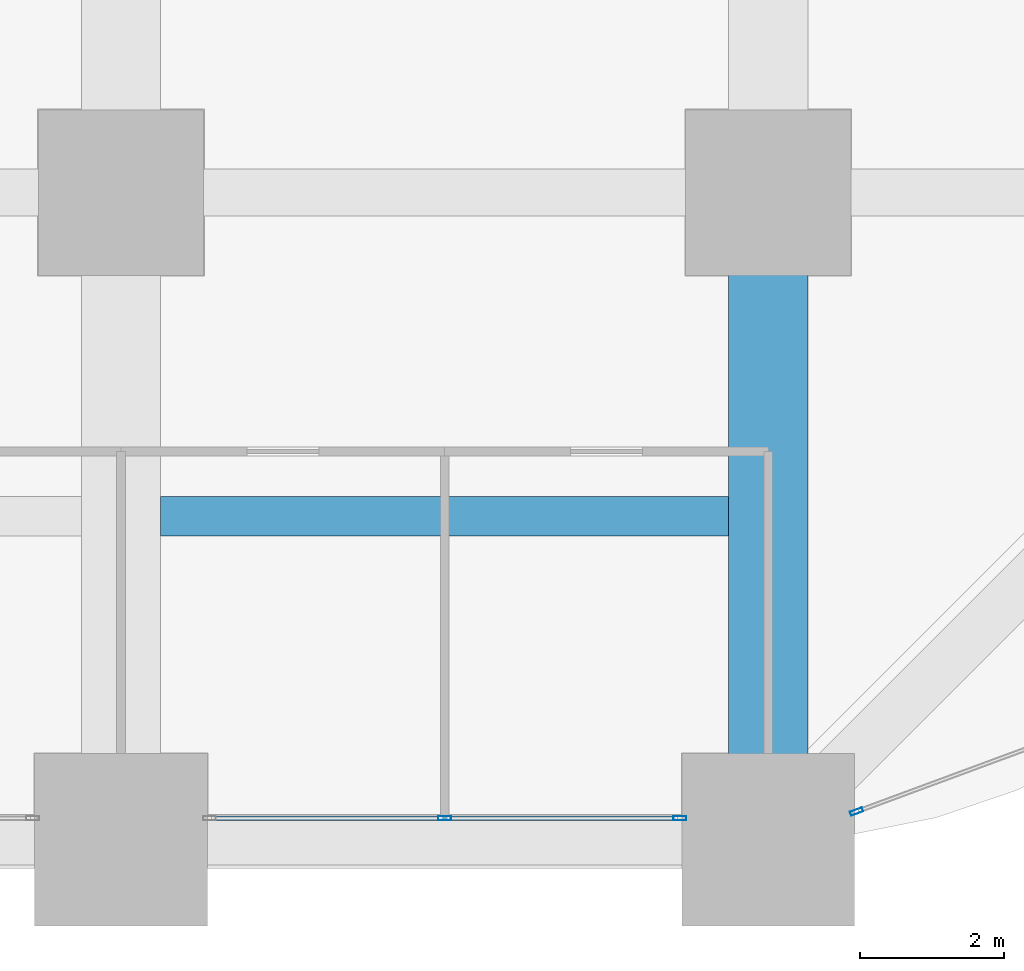
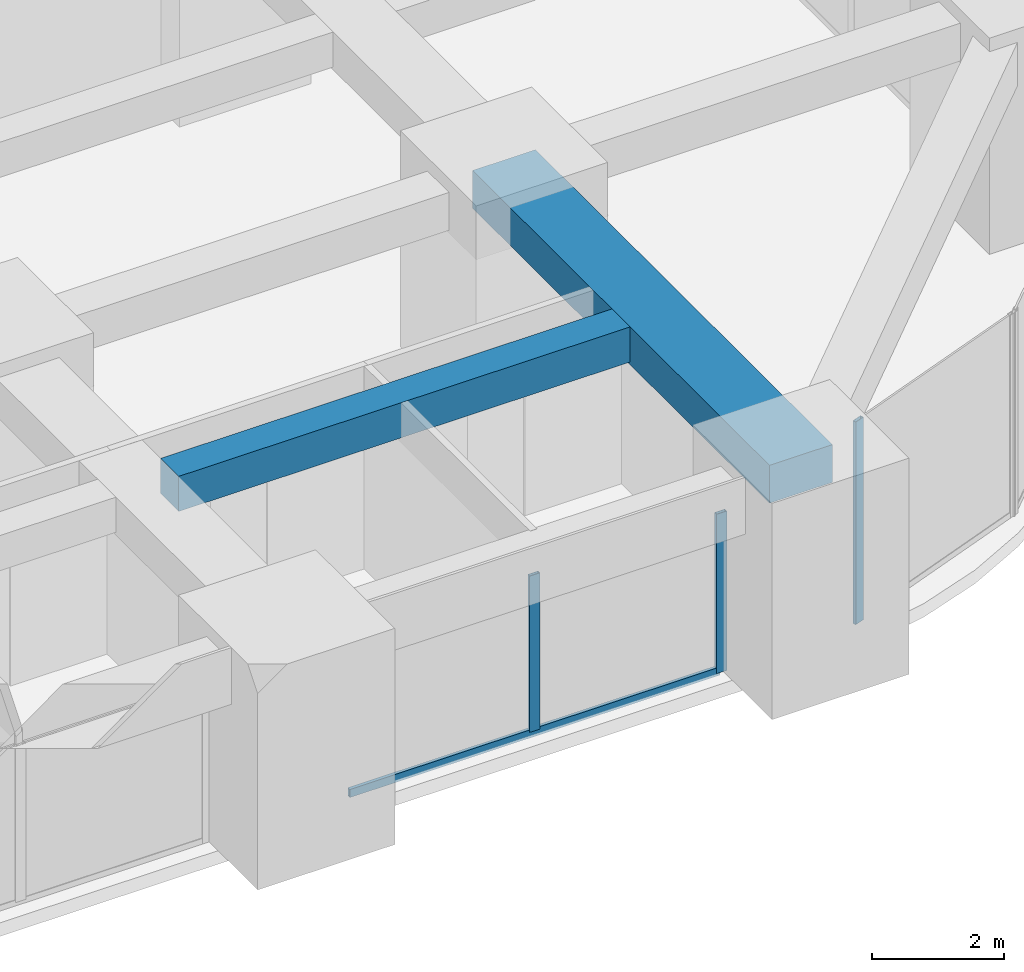
# One storey, part 15 of 45: 4 members, 2 beams, 2 elements without a shape of their own.
"""IFC4 building model written with IfcOpenShell, lengths in metres."""

from ifc_helpers import new_model, si_unit, direction, frame, origin, origin_2d, place, context, subcontext, project, spatial, rectangle, hollow_rectangle, extrude, material, material_profile, profile_set, type_object, element, aggregate, save


model = new_model("IFC4")

# Units and contexts
model_context = context("Model", 3, precision=1e-05, world=origin(), true_north=direction((0.0, 1.0)))
body_context = subcontext(model_context, "Body", "Model", "MODEL_VIEW")
ifc_project = project(units=[si_unit("LENGTHUNIT", "METRE"), si_unit("AREAUNIT", "SQUARE_METRE"), si_unit("VOLUMEUNIT", "CUBIC_METRE"), si_unit("PLANEANGLEUNIT", "RADIAN"), si_unit("MASSUNIT", "GRAM", prefix="KILO")], contexts=[model_context])

# Site, building, storey
site_placement = place(None, origin())
site = spatial("IfcSite", under=ifc_project, at=site_placement, CompositionType="ELEMENT")
building_placement = place(site_placement, origin())
building = spatial("IfcBuilding", under=site, at=building_placement, Name="Zorevar Civic Tower", CompositionType="ELEMENT")
storey_placement = place(building_placement, frame((0.0, 0.0, 39.800048828125)))
storey = spatial("IfcBuildingStorey", under=building, at=storey_placement, Name="L09", CompositionType="ELEMENT", Elevation=39.800048828125)

# Beams
ifc_material_1 = material(Name="Concrete C50/60", Category="concrete")
ifc_material_profile_1 = material_profile(ifc_material_1, rectangle(XDim=1.10009765625, YDim=0.699951171875, at=origin_2d()), Name="RC 1100x700")
ifc_profile_set_1 = profile_set([ifc_material_profile_1], Name="Concrete C50/60")
beam_type_1 = type_object("IfcBeamType", Name="Beam RC 1100x700", PredefinedType="BEAM", material=ifc_profile_set_1)
beam_1_placement = place(storey_placement, frame((54.0, 0.0, 3.39990234375), z_axis=(0.0, 1.0, 0.0), x_axis=(-1.0, 0.0, 0.0)))
element("IfcBeam", 1, at=beam_1_placement, inside=storey, type_object=beam_type_1, Name="Girder L10", PredefinedType="BEAM", context=body_context, shape_type="SweptSolid", body=[
    extrude(rectangle(XDim=1.10009765625, YDim=0.699951171875, at=origin_2d()), origin(), (0.0, 0.0, 1.0), 9.0),
])
ifc_material_2 = material(Name="Concrete C50/60", Category="concrete")
ifc_material_profile_2 = material_profile(ifc_material_2, rectangle(XDim=0.550048828125, YDim=0.64990234375, at=origin_2d()), Name="RC 550x650")
ifc_profile_set_2 = profile_set([ifc_material_profile_2], Name="Concrete C50/60")
beam_type_2 = type_object("IfcBeamType", Name="Beam RC 550x650", PredefinedType="BEAM", material=ifc_profile_set_2)
beam_2_placement = place(storey_placement, frame((45.550048828125, 4.5, 3.425048828125), z_axis=(1.0, 0.0, 0.0), x_axis=(0.0, 1.0, 0.0)))
element("IfcBeam", 2, at=beam_2_placement, inside=storey, type_object=beam_type_2, Name="Secondary beam L10", PredefinedType="BEAM", context=body_context, shape_type="SweptSolid", body=[
    extrude(rectangle(XDim=0.550048828125, YDim=0.64990234375, at=origin_2d()), origin(), (0.0, 0.0, 1.0), 7.89990234375),
])

# Curtain wall, members
ifc_material_3 = material(Name="Dark grey solar-control glass in black aluminium frame", Category="aluminium")
curtain_wall_type = type_object("IfcCurtainWallType", Name="Curtain wall CW2 low zone", PredefinedType="NOTDEFINED", material=ifc_material_3)
curtain_wall_1_placement = place(storey_placement, origin())
curtain_wall_1 = element("IfcCurtainWall", 3, at=curtain_wall_1_placement, inside=storey, type_object=curtain_wall_type, Name="CW2 L09", PredefinedType="NOTDEFINED")
ifc_material_4 = material(Name="Aluminium, black anodised", Category="aluminium")
ifc_material_profile_3 = material_profile(ifc_material_4, hollow_rectangle(XDim=0.06005859375, YDim=0.179931640625, WallThickness=0.00390625, at=origin_2d()), Name="AL 180x60x4")
ifc_profile_set_3 = profile_set([ifc_material_profile_3], Name="Aluminium, black anodised")
member_type_1 = type_object("IfcMemberType", Name="CW2 mullion AL 180x60x4", PredefinedType="MULLION", material=ifc_profile_set_3)
member_1_placement = place(storey_placement, frame((49.5, 0.300048828125, 0.06005859375), z_axis=(0.0, 0.0, 1.0), x_axis=(0.0, 1.0, 0.0)))
member_1 = element("IfcMember", 4, at=member_1_placement, type_object=member_type_1, Name="CW2 mullion 2", PredefinedType="MULLION", context=body_context, shape_type="SweptSolid", body=[
    extrude(hollow_rectangle(XDim=0.06005859375, YDim=0.179931640625, WallThickness=0.00390625, at=origin_2d()), origin(), (0.0, 0.0, 1.0), 2.889892578125),
])
member_2_placement = place(storey_placement, frame((52.77001953125, 0.300048828125, 0.0), z_axis=(0.0, 0.0, 1.0), x_axis=(0.0, 1.0, 0.0)))
member_2 = element("IfcMember", 5, at=member_2_placement, type_object=member_type_1, Name="CW2 mullion 3", PredefinedType="MULLION", context=body_context, shape_type="SweptSolid", body=[
    extrude(hollow_rectangle(XDim=0.06005859375, YDim=0.179931640625, WallThickness=0.00390625, at=origin_2d()), origin(), (0.0, 0.0, 1.0), 2.949951171875),
])

# Curtain wall, member
curtain_wall_2_placement = place(storey_placement, origin())
curtain_wall_2 = element("IfcCurtainWall", 6, at=curtain_wall_2_placement, inside=storey, type_object=curtain_wall_type, Name="CW2 L09", PredefinedType="NOTDEFINED")
member_3_placement = place(storey_placement, frame((55.22802734375, 0.3935546875, 0.0), z_axis=(0.0, 0.0, 1.0), x_axis=(-0.346704012033, 0.937974588163, 0.0)))
member_3 = element("IfcMember", 7, at=member_3_placement, type_object=member_type_1, Name="CW2 mullion 1", PredefinedType="MULLION", context=body_context, shape_type="SweptSolid", body=[
    extrude(hollow_rectangle(XDim=0.06005859375, YDim=0.179931640625, WallThickness=0.00390625, at=origin_2d()), origin(), (0.0, 0.0, 1.0), 3.75),
])
aggregate(curtain_wall_2, [member_3])

# Member
ifc_material_5 = material(Name="Aluminium, black anodised", Category="aluminium")
ifc_material_profile_4 = material_profile(ifc_material_5, hollow_rectangle(XDim=0.06005859375, YDim=0.14990234375, WallThickness=0.00390625, at=origin_2d()), Name="AL 150x60x4")
ifc_profile_set_4 = profile_set([ifc_material_profile_4], Name="Aluminium, black anodised")
member_type_2 = type_object("IfcMemberType", Name="CW2 transom AL 150x60x4", PredefinedType="USERDEFINED", material=ifc_profile_set_4)
member_4_placement = place(storey_placement, frame((46.260009765625, 0.300048828125, 0.030029296875), z_axis=(1.0, 0.0, 0.0), x_axis=(0.0, 1.0, 0.0)))
member_4 = element("IfcMember", 8, at=member_4_placement, type_object=member_type_2, Name="CW2 sill transom", ObjectType="TRANSOM", PredefinedType="USERDEFINED", context=body_context, shape_type="SweptSolid", body=[
    extrude(hollow_rectangle(XDim=0.06005859375, YDim=0.14990234375, WallThickness=0.00390625, at=origin_2d()), origin(), (0.0, 0.0, 1.0), 6.47998046875),
])

aggregate(curtain_wall_1, [member_1, member_2, member_4])

save(model, "model.ifc")
